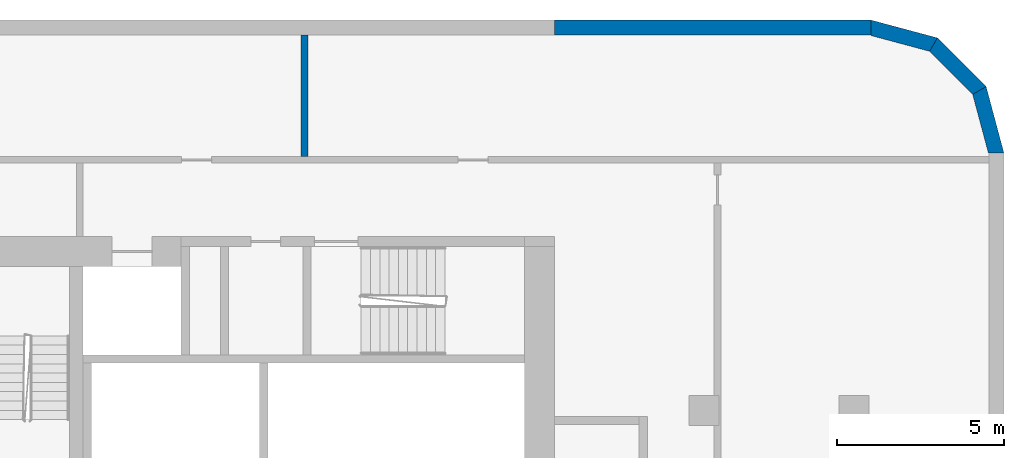
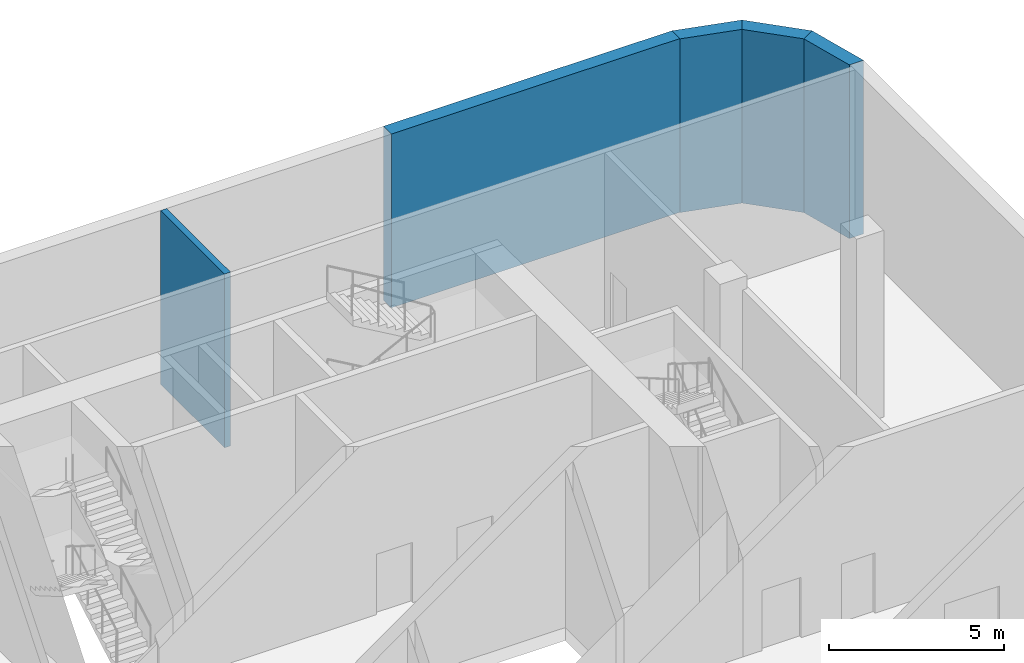
# One storey, part 13 of 24: 5 walls.
"""IFC4 building model written with IfcOpenShell, lengths in metres."""

from ifc_helpers import new_model, si_unit, direction, frame, frame_2d, origin, place, context, subcontext, project, spatial, polyline, rectangle, outline, extrude, material, layer, layer_set, type_object, element, save


model = new_model("IFC4")

# Units and contexts
model_context = context("Model", 3, precision=1e-05, world=origin(), true_north=direction((0.0, 1.0)))
body_context = subcontext(model_context, "Body", "Model", "MODEL_VIEW")
ifc_project = project(units=[si_unit("LENGTHUNIT", "METRE"), si_unit("AREAUNIT", "SQUARE_METRE"), si_unit("VOLUMEUNIT", "CUBIC_METRE"), si_unit("PLANEANGLEUNIT", "RADIAN"), si_unit("MASSUNIT", "GRAM", prefix="KILO")], contexts=[model_context])

# Site, building, storey
site_placement = place(None, origin())
site = spatial("IfcSite", under=ifc_project, at=site_placement, CompositionType="ELEMENT")
building_placement = place(site_placement, origin())
building = spatial("IfcBuilding", under=site, at=building_placement, Name="Kajstack Hotel Tower", CompositionType="ELEMENT")
storey_placement = place(building_placement, frame((0.0, 0.0, 17.0)))
storey = spatial("IfcBuildingStorey", under=building, at=storey_placement, Name="L02", CompositionType="ELEMENT", Elevation=17.0)

# Walls
ifc_material_1 = material(Name="Terracotta-faced brick masonry", Category="masonry")
ifc_layer_1 = layer(ifc_material_1, 0.449951171875)
ifc_layer_set_1 = layer_set([ifc_layer_1], Name="EW-TERRA")
wall_type_1 = type_object("IfcWallType", Name="EW-TERRA", PredefinedType="SOLIDWALL", material=ifc_layer_set_1)
wall_1_placement = place(storey_placement, frame((44.78271484375, 17.941650390625, 0.0), z_axis=(0.0, 0.0, 1.0), x_axis=(-0.25881466832, 0.965926999034, 0.0)))
element("IfcWall", 1, at=wall_1_placement, inside=storey, type_object=wall_type_1, Name="E-wall-L02-08-00", PredefinedType="SOLIDWALL", context=body_context, shape_type="SweptSolid", body=[
    extrude(outline(polyline([(0.000244140625, -0.22509765625), (2.070556640625, -0.224853515625), (1.9501953125, 0.22509765625), (0.12060546875, 0.22509765625), (0.000244140625, -0.22509765625)])), origin(), (0.0, 0.0, 1.0), 6.050048828125),
])
wall_2_placement = place(storey_placement, frame((44.304931640625, 19.8408203125, 0.0), z_axis=(0.0, 0.0, 1.0), x_axis=(-0.707106781187, 0.707106781187, 0.0)))
element("IfcWall", 2, at=wall_2_placement, inside=storey, type_object=wall_type_1, Name="E-wall-L02-09-00", PredefinedType="SOLIDWALL", context=body_context, shape_type="SweptSolid", body=[
    extrude(outline(polyline([(0.0, -0.22509765625), (2.070556640625, -0.22509765625), (1.949951171875, 0.224853515625), (0.12060546875, 0.224853515625), (0.0, -0.22509765625)])), origin(), (0.0, 0.0, 1.0), 6.050048828125),
])
wall_3_placement = place(storey_placement, frame((42.941650390625, 21.246826171875, 0.0), z_axis=(0.0, 0.0, 1.0), x_axis=(-0.965926999034, 0.25881466832, 0.0)))
element("IfcWall", 3, at=wall_3_placement, inside=storey, type_object=wall_type_1, Name="E-wall-L02-10-00", PredefinedType="SOLIDWALL", context=body_context, shape_type="SweptSolid", body=[
    extrude(outline(polyline([(-0.000244140625, -0.224853515625), (2.0703125, -0.22509765625), (1.949951171875, 0.22509765625), (0.120361328125, 0.22509765625), (-0.000244140625, -0.224853515625)])), origin(), (0.0, 0.0, 1.0), 6.050048828125),
])
wall_4_placement = place(storey_placement, frame((41.0, 21.77490234375, 0.0), z_axis=(0.0, 0.0, 1.0), x_axis=(-1.0, 0.0, 0.0)))
element("IfcWall", 4, at=wall_4_placement, inside=storey, type_object=wall_type_1, Name="E-wall-L02-11-00", PredefinedType="SOLIDWALL", context=body_context, shape_type="SweptSolid", body=[
    extrude(rectangle(XDim=9.5, YDim=0.449951171875, at=frame_2d((4.75, 0.0))), origin(), (0.0, 0.0, 1.0), 6.050048828125),
])
ifc_material_2 = material(Name="Gypsum board on steel studs, mineral wool", Category="steel")
ifc_layer_2 = layer(ifc_material_2, 0.199951171875)
ifc_layer_set_2 = layer_set([ifc_layer_2], Name="Service partition 200")
wall_type_2 = type_object("IfcWallType", Name="Service partition 200", PredefinedType="PARTITIONING", material=ifc_layer_set_2)
wall_5_placement = place(storey_placement, frame((24.0, 17.89990234375, 0.0), z_axis=(0.0, 0.0, 1.0), x_axis=(0.0, 1.0, 0.0)))
element("IfcWall", 5, at=wall_5_placement, inside=storey, type_object=wall_type_2, Name="Partition E SLP0", PredefinedType="PARTITIONING", context=body_context, shape_type="SweptSolid", body=[
    extrude(rectangle(XDim=3.650146484375, YDim=0.199951171875, at=frame_2d((1.8251953125, 0.0))), origin(), (0.0, 0.0, 1.0), 6.050048828125),
])

save(model, "model.ifc")
